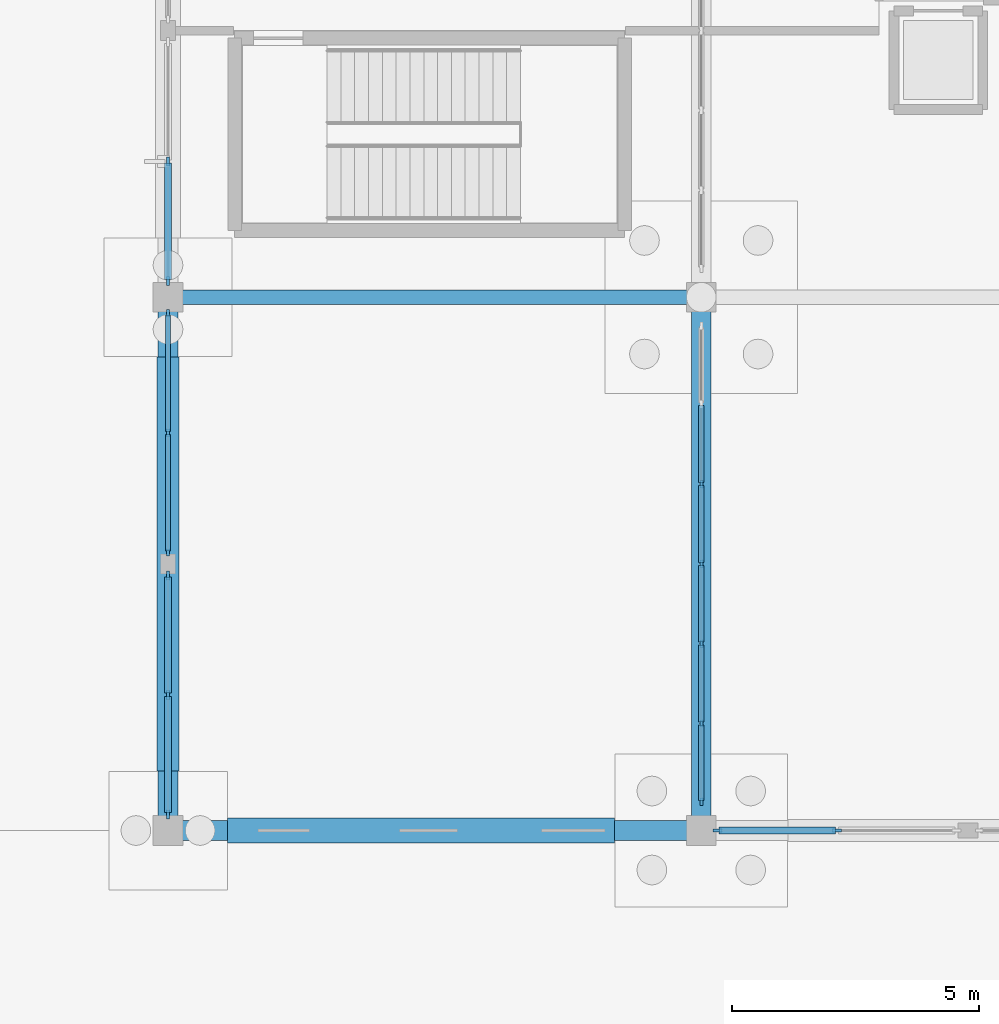
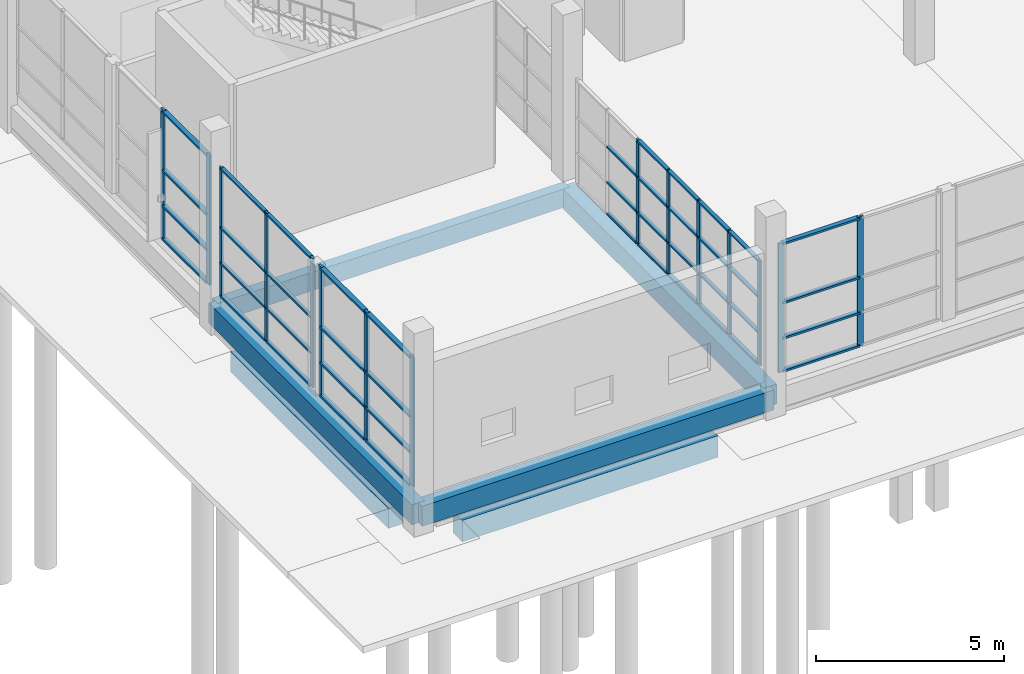
# One storey, part 15 of 138: 58 members, 6 beams, 5 elements without a shape of their own.
"""IFC4 building model written with IfcOpenShell, lengths in metres."""

from ifc_helpers import new_model, si_unit, direction, frame, origin, origin_2d, place, context, subcontext, project, spatial, rectangle, extrude, material, material_profile, profile_set, type_object, element, aggregate, save


model = new_model("IFC4")

# Units and contexts
model_context = context("Model", 3, precision=1e-05, world=origin(), true_north=direction((0.0, 1.0)))
body_context = subcontext(model_context, "Body", "Model", "MODEL_VIEW")
ifc_project = project(units=[si_unit("LENGTHUNIT", "METRE"), si_unit("AREAUNIT", "SQUARE_METRE"), si_unit("VOLUMEUNIT", "CUBIC_METRE"), si_unit("PLANEANGLEUNIT", "RADIAN"), si_unit("MASSUNIT", "GRAM", prefix="KILO")], contexts=[model_context])

# Site, building, storey
site_placement = place(None, origin())
site = spatial("IfcSite", under=ifc_project, at=site_placement, CompositionType="ELEMENT")
building_placement = place(site_placement, origin())
building = spatial("IfcBuilding", under=site, at=building_placement, Name="Zwinboog Wholesale Market", CompositionType="ELEMENT")
storey_placement = place(building_placement, origin())
storey = spatial("IfcBuildingStorey", under=building, at=storey_placement, Name="L00", CompositionType="ELEMENT", Elevation=0.0)

# Beams
ifc_material_1 = material(Name="Precast concrete C45/55", Category="concrete")
ifc_material_profile_1 = material_profile(ifc_material_1, rectangle(XDim=0.39990234375, YDim=0.64990234375, at=origin_2d()), Name="PC 400x650")
ifc_profile_set_1 = profile_set([ifc_material_profile_1], Name="Precast concrete C45/55")
beam_type_1 = type_object("IfcBeamType", Name="BT-05", PredefinedType="BEAM", material=ifc_profile_set_1)
for number, where, z_axis, x_axis, name in (
    (1, (0.0, 0.0, -0.680908203125), (1.0, 0.0, 0.0), (0.0, 1.0, 0.0), "BG-05 (BMG-L00-0000-0000-0001)"),
    (2, (0.0, 0.0, -0.680908203125), (0.0, 1.0, 0.0), (-1.0, 0.0, 0.0), "BG-05 (BMG-L00-0000-0000-0211)"),
    (3, (10.800048828125, 0.0, -0.680908203125), (0.0, 1.0, 0.0), (-1.0, 0.0, 0.0), "BG-05 (BMG-L00-0108-0000-0223)"),
):
    element("IfcBeam", number, at=place(storey_placement, frame(where, z_axis=z_axis, x_axis=x_axis)), inside=storey, type_object=beam_type_1, Name=name, PredefinedType="BEAM", context=body_context, shape_type="SweptSolid", body=[
        extrude(rectangle(XDim=0.39990234375, YDim=0.64990234375, at=origin_2d()), origin(), (0.0, 0.0, 1.0), 10.800048828125),
    ])
ifc_material_profile_2 = material_profile(ifc_material_1, rectangle(XDim=0.300048828125, YDim=0.60009765625, at=origin_2d()), Name="PC 300x600")
ifc_profile_set_2 = profile_set([ifc_material_profile_2], Name="Precast concrete C45/55")
beam_type_2 = type_object("IfcBeamType", Name="BT-09", PredefinedType="SPANDREL", material=ifc_profile_set_2)
beam_1_placement = place(storey_placement, frame((0.0, 10.800048828125, -0.656005859375), z_axis=(1.0, 0.0, 0.0), x_axis=(0.0, 1.0, 0.0)))
element("IfcBeam", 4, at=beam_1_placement, inside=storey, type_object=beam_type_2, Name="SP-02 (BMG-L00-0000-0108-0015)", PredefinedType="SPANDREL", context=body_context, shape_type="SweptSolid", body=[
    extrude(rectangle(XDim=0.300048828125, YDim=0.60009765625, at=origin_2d()), origin(), (0.0, 0.0, 1.0), 10.800048828125),
])
ifc_material_2 = material(Name="Concrete C35/45", Category="concrete")
ifc_material_profile_3 = material_profile(ifc_material_2, rectangle(XDim=0.5, YDim=0.699951171875, at=origin_2d()), Name="RC 500x700")
ifc_profile_set_3 = profile_set([ifc_material_profile_3], Name="Concrete C35/45")
beam_type_3 = type_object("IfcBeamType", Name="BT-12", PredefinedType="USERDEFINED", material=ifc_profile_set_3)
beam_2_placement = place(storey_placement, frame((1.205078125, 0.0, -1.550048828125), z_axis=(1.0, 0.0, 0.0), x_axis=(0.0, 1.0, 0.0)))
element("IfcBeam", 5, at=beam_2_placement, inside=storey, type_object=beam_type_3, Name="GB-01 (BM-GB-0001)", ObjectType="GROUND_BEAM", PredefinedType="USERDEFINED", context=body_context, shape_type="SweptSolid", body=[
    extrude(rectangle(XDim=0.5, YDim=0.699951171875, at=origin_2d()), origin(), (0.0, 0.0, 1.0), 7.83984375),
])
ifc_material_profile_4 = material_profile(ifc_material_2, rectangle(XDim=0.449951171875, YDim=0.64990234375, at=origin_2d()), Name="RC 450x650")
ifc_profile_set_4 = profile_set([ifc_material_profile_4], Name="Concrete C35/45")
beam_type_4 = type_object("IfcBeamType", Name="BT-13", PredefinedType="USERDEFINED", material=ifc_profile_set_4)
beam_3_placement = place(storey_placement, frame((0.0, 1.205078125, -1.52490234375), z_axis=(0.0, 1.0, 0.0), x_axis=(-1.0, 0.0, 0.0)))
element("IfcBeam", 6, at=beam_3_placement, inside=storey, type_object=beam_type_4, Name="GB-02 (BM-GB-0127)", ObjectType="GROUND_BEAM", PredefinedType="USERDEFINED", context=body_context, shape_type="SweptSolid", body=[
    extrude(rectangle(XDim=0.449951171875, YDim=0.64990234375, at=origin_2d()), origin(), (0.0, 0.0, 1.0), 8.389892578125),
])

# Curtain wall, members
ifc_material_3 = material(Name="Aluminium thermally broken curtain wall", Category="aluminium")
curtain_wall_type_1 = type_object("IfcCurtainWallType", Name="CWT-STALL-18", PredefinedType="USERDEFINED", material=ifc_material_3)
curtain_wall_1_placement = place(storey_placement, origin())
curtain_wall_1 = element("IfcCurtainWall", 7, at=curtain_wall_1_placement, inside=storey, type_object=curtain_wall_type_1, Name="CW-01 (CW-L00-001)", ObjectType="STOREFRONT_GLAZING", PredefinedType="USERDEFINED")
ifc_material_4 = material(Name="Aluminium EN AW-6060", Category="aluminium")
ifc_material_profile_5 = material_profile(ifc_material_4, rectangle(XDim=0.06494140625, YDim=0.179931640625, at=origin_2d()), Name="AL 65x180")
ifc_profile_set_5 = profile_set([ifc_material_profile_5], Name="Aluminium EN AW-6060")
member_type_1 = type_object("IfcMemberType", Name="CWM-65x180", PredefinedType="MULLION", material=ifc_profile_set_5)
member_1_placement = place(storey_placement, frame((0.0, 0.327392578125, 0.0), z_axis=(0.0, 0.0, 1.0), x_axis=(-1.0, 0.0, 0.0)))
member_1 = element("IfcMember", 8, at=member_1_placement, type_object=member_type_1, Name="CW-01 mullion 1", PredefinedType="MULLION", context=body_context, shape_type="SweptSolid", body=[
    extrude(rectangle(XDim=0.06494140625, YDim=0.179931640625, at=origin_2d()), origin(), (0.0, 0.0, 1.0), 4.197998046875),
])
member_2_placement = place(storey_placement, frame((0.0, 2.74755859375, 0.0), z_axis=(0.0, 0.0, 1.0), x_axis=(-1.0, 0.0, 0.0)))
member_2 = element("IfcMember", 9, at=member_2_placement, type_object=member_type_1, Name="CW-01 mullion 2", PredefinedType="MULLION", context=body_context, shape_type="SweptSolid", body=[
    extrude(rectangle(XDim=0.06494140625, YDim=0.179931640625, at=origin_2d()), origin(), (0.0, 0.0, 1.0), 4.197998046875),
])
member_3_placement = place(storey_placement, frame((0.0, 5.16748046875, 0.0), z_axis=(0.0, 0.0, 1.0), x_axis=(-1.0, 0.0, 0.0)))
member_3 = element("IfcMember", 10, at=member_3_placement, type_object=member_type_1, Name="CW-01 mullion 3", PredefinedType="MULLION", context=body_context, shape_type="SweptSolid", body=[
    extrude(rectangle(XDim=0.06494140625, YDim=0.179931640625, at=origin_2d()), origin(), (0.0, 0.0, 1.0), 4.197998046875),
])

curtain_wall_type_2 = type_object("IfcCurtainWallType", Name="CWT-HALL-24", PredefinedType="USERDEFINED", material=ifc_material_3)
curtain_wall_2_placement = place(storey_placement, origin())
curtain_wall_2 = element("IfcCurtainWall", 11, at=curtain_wall_2_placement, inside=storey, type_object=curtain_wall_type_2, Name="CW-03 (CW-L00-003)", ObjectType="UNITIZED_CURTAIN_WALL", PredefinedType="USERDEFINED")
member_4_placement = place(storey_placement, frame((0.0, 11.12744140625, 0.0), z_axis=(0.0, 0.0, 1.0), x_axis=(-1.0, 0.0, 0.0)))
member_4 = element("IfcMember", 12, at=member_4_placement, type_object=member_type_1, Name="CW-03 mullion 1", PredefinedType="MULLION", context=body_context, shape_type="SweptSolid", body=[
    extrude(rectangle(XDim=0.06494140625, YDim=0.179931640625, at=origin_2d()), origin(), (0.0, 0.0, 1.0), 4.197998046875),
])
member_5_placement = place(storey_placement, frame((0.0, 13.547607421875, 0.0), z_axis=(0.0, 0.0, 1.0), x_axis=(-1.0, 0.0, 0.0)))
member_5 = element("IfcMember", 13, at=member_5_placement, type_object=member_type_1, Name="CW-03 mullion 2", PredefinedType="MULLION", context=body_context, shape_type="SweptSolid", body=[
    extrude(rectangle(XDim=0.06494140625, YDim=0.179931640625, at=origin_2d()), origin(), (0.0, 0.0, 1.0), 4.197998046875),
])

curtain_wall_type_3 = type_object("IfcCurtainWallType", Name="CWT-CAFE-22", PredefinedType="USERDEFINED", material=ifc_material_3)
curtain_wall_3_placement = place(storey_placement, origin())
curtain_wall_3 = element("IfcCurtainWall", 14, at=curtain_wall_3_placement, inside=storey, type_object=curtain_wall_type_3, Name="CW-05 (CW-L00-017)", ObjectType="STOREFRONT_GLAZING", PredefinedType="USERDEFINED")
member_6_placement = place(storey_placement, frame((11.12744140625, 0.0, 0.0), z_axis=(0.0, 0.0, 1.0), x_axis=(0.0, 1.0, 0.0)))
member_6 = element("IfcMember", 15, at=member_6_placement, type_object=member_type_1, Name="CW-05 mullion 1", PredefinedType="MULLION", context=body_context, shape_type="SweptSolid", body=[
    extrude(rectangle(XDim=0.06494140625, YDim=0.179931640625, at=origin_2d()), origin(), (0.0, 0.0, 1.0), 4.197998046875),
])
member_7_placement = place(storey_placement, frame((13.547607421875, 0.0, 0.0), z_axis=(0.0, 0.0, 1.0), x_axis=(0.0, 1.0, 0.0)))
member_7 = element("IfcMember", 16, at=member_7_placement, type_object=member_type_1, Name="CW-05 mullion 2", PredefinedType="MULLION", context=body_context, shape_type="SweptSolid", body=[
    extrude(rectangle(XDim=0.06494140625, YDim=0.179931640625, at=origin_2d()), origin(), (0.0, 0.0, 1.0), 4.197998046875),
])

curtain_wall_type_4 = type_object("IfcCurtainWallType", Name="CWT-STALL-20", PredefinedType="USERDEFINED", material=ifc_material_3)
curtain_wall_4_placement = place(storey_placement, origin())
curtain_wall_4 = element("IfcCurtainWall", 17, at=curtain_wall_4_placement, inside=storey, type_object=curtain_wall_type_4, Name="CW-02 (CW-L00-002)", ObjectType="STOREFRONT_GLAZING", PredefinedType="USERDEFINED")
ifc_material_profile_6 = material_profile(ifc_material_4, rectangle(XDim=0.06005859375, YDim=0.14990234375, at=origin_2d()), Name="AL 60x150")
ifc_profile_set_6 = profile_set([ifc_material_profile_6], Name="Aluminium EN AW-6060")
member_type_2 = type_object("IfcMemberType", Name="CWM-60x150", PredefinedType="MULLION", material=ifc_profile_set_6)
member_8_placement = place(storey_placement, frame((0.0, 5.6298828125, 0.0), z_axis=(0.0, 0.0, 1.0), x_axis=(-1.0, 0.0, 0.0)))
member_8 = element("IfcMember", 18, at=member_8_placement, type_object=member_type_2, Name="CW-02 mullion 1", PredefinedType="MULLION", context=body_context, shape_type="SweptSolid", body=[
    extrude(rectangle(XDim=0.06005859375, YDim=0.14990234375, at=origin_2d()), origin(), (0.0, 0.0, 1.0), 4.197998046875),
])
member_9_placement = place(storey_placement, frame((0.0, 8.052490234375, 0.0), z_axis=(0.0, 0.0, 1.0), x_axis=(-1.0, 0.0, 0.0)))
member_9 = element("IfcMember", 19, at=member_9_placement, type_object=member_type_2, Name="CW-02 mullion 2", PredefinedType="MULLION", context=body_context, shape_type="SweptSolid", body=[
    extrude(rectangle(XDim=0.06005859375, YDim=0.14990234375, at=origin_2d()), origin(), (0.0, 0.0, 1.0), 4.197998046875),
])
member_10_placement = place(storey_placement, frame((0.0, 10.47509765625, 0.0), z_axis=(0.0, 0.0, 1.0), x_axis=(-1.0, 0.0, 0.0)))
member_10 = element("IfcMember", 20, at=member_10_placement, type_object=member_type_2, Name="CW-02 mullion 3", PredefinedType="MULLION", context=body_context, shape_type="SweptSolid", body=[
    extrude(rectangle(XDim=0.06005859375, YDim=0.14990234375, at=origin_2d()), origin(), (0.0, 0.0, 1.0), 4.197998046875),
])

# Member
ifc_material_profile_7 = material_profile(ifc_material_4, rectangle(XDim=0.139892578125, YDim=0.06494140625, at=origin_2d()), Name="AL 65x140")
ifc_profile_set_7 = profile_set([ifc_material_profile_7], Name="Aluminium EN AW-6060")
member_type_3 = type_object("IfcMemberType", Name="CWT-65x140", PredefinedType="USERDEFINED", material=ifc_profile_set_7)
member_11_placement = place(storey_placement, frame((0.0, 0.360107421875, 0.032470703125), z_axis=(0.0, 1.0, 0.0), x_axis=(-1.0, 0.0, 0.0)))
member_11 = element("IfcMember", 21, at=member_11_placement, type_object=member_type_3, Name="CW-01 transom 1.1", ObjectType="TRANSOM", PredefinedType="USERDEFINED", context=body_context, shape_type="SweptSolid", body=[
    extrude(rectangle(XDim=0.139892578125, YDim=0.06494140625, at=origin_2d()), origin(), (0.0, 0.0, 1.0), 2.35498046875),
])

member_12_placement = place(storey_placement, frame((0.0, 0.360107421875, 1.10009765625), z_axis=(0.0, 1.0, 0.0), x_axis=(-1.0, 0.0, 0.0)))
member_12 = element("IfcMember", 22, at=member_12_placement, type_object=member_type_3, Name="CW-01 transom 1.2", ObjectType="TRANSOM", PredefinedType="USERDEFINED", context=body_context, shape_type="SweptSolid", body=[
    extrude(rectangle(XDim=0.139892578125, YDim=0.06494140625, at=origin_2d()), origin(), (0.0, 0.0, 1.0), 2.35498046875),
])

member_13_placement = place(storey_placement, frame((0.0, 0.360107421875, 2.25), z_axis=(0.0, 1.0, 0.0), x_axis=(-1.0, 0.0, 0.0)))
member_13 = element("IfcMember", 23, at=member_13_placement, type_object=member_type_3, Name="CW-01 transom 1.3", ObjectType="TRANSOM", PredefinedType="USERDEFINED", context=body_context, shape_type="SweptSolid", body=[
    extrude(rectangle(XDim=0.139892578125, YDim=0.06494140625, at=origin_2d()), origin(), (0.0, 0.0, 1.0), 2.35498046875),
])

member_14_placement = place(storey_placement, frame((0.0, 0.360107421875, 4.16552734375), z_axis=(0.0, 1.0, 0.0), x_axis=(-1.0, 0.0, 0.0)))
member_14 = element("IfcMember", 24, at=member_14_placement, type_object=member_type_3, Name="CW-01 transom 1.4", ObjectType="TRANSOM", PredefinedType="USERDEFINED", context=body_context, shape_type="SweptSolid", body=[
    extrude(rectangle(XDim=0.139892578125, YDim=0.06494140625, at=origin_2d()), origin(), (0.0, 0.0, 1.0), 2.35498046875),
])

member_15_placement = place(storey_placement, frame((0.0, 2.780029296875, 0.032470703125), z_axis=(0.0, 1.0, 0.0), x_axis=(-1.0, 0.0, 0.0)))
member_15 = element("IfcMember", 25, at=member_15_placement, type_object=member_type_3, Name="CW-01 transom 2.1", ObjectType="TRANSOM", PredefinedType="USERDEFINED", context=body_context, shape_type="SweptSolid", body=[
    extrude(rectangle(XDim=0.139892578125, YDim=0.06494140625, at=origin_2d()), origin(), (0.0, 0.0, 1.0), 2.35498046875),
])

member_16_placement = place(storey_placement, frame((0.0, 2.780029296875, 1.10009765625), z_axis=(0.0, 1.0, 0.0), x_axis=(-1.0, 0.0, 0.0)))
member_16 = element("IfcMember", 26, at=member_16_placement, type_object=member_type_3, Name="CW-01 transom 2.2", ObjectType="TRANSOM", PredefinedType="USERDEFINED", context=body_context, shape_type="SweptSolid", body=[
    extrude(rectangle(XDim=0.139892578125, YDim=0.06494140625, at=origin_2d()), origin(), (0.0, 0.0, 1.0), 2.35498046875),
])

member_17_placement = place(storey_placement, frame((0.0, 2.780029296875, 2.25), z_axis=(0.0, 1.0, 0.0), x_axis=(-1.0, 0.0, 0.0)))
member_17 = element("IfcMember", 27, at=member_17_placement, type_object=member_type_3, Name="CW-01 transom 2.3", ObjectType="TRANSOM", PredefinedType="USERDEFINED", context=body_context, shape_type="SweptSolid", body=[
    extrude(rectangle(XDim=0.139892578125, YDim=0.06494140625, at=origin_2d()), origin(), (0.0, 0.0, 1.0), 2.35498046875),
])

member_18_placement = place(storey_placement, frame((0.0, 2.780029296875, 4.16552734375), z_axis=(0.0, 1.0, 0.0), x_axis=(-1.0, 0.0, 0.0)))
member_18 = element("IfcMember", 28, at=member_18_placement, type_object=member_type_3, Name="CW-01 transom 2.4", ObjectType="TRANSOM", PredefinedType="USERDEFINED", context=body_context, shape_type="SweptSolid", body=[
    extrude(rectangle(XDim=0.139892578125, YDim=0.06494140625, at=origin_2d()), origin(), (0.0, 0.0, 1.0), 2.35498046875),
])

aggregate(curtain_wall_1, [member_1, member_2, member_3, member_11, member_12, member_13, member_14, member_15, member_16, member_17, member_18])

member_19_placement = place(storey_placement, frame((0.0, 11.159912109375, 0.032470703125), z_axis=(0.0, 1.0, 0.0), x_axis=(-1.0, 0.0, 0.0)))
member_19 = element("IfcMember", 29, at=member_19_placement, type_object=member_type_3, Name="CW-03 transom 1.1", ObjectType="TRANSOM", PredefinedType="USERDEFINED", context=body_context, shape_type="SweptSolid", body=[
    extrude(rectangle(XDim=0.139892578125, YDim=0.06494140625, at=origin_2d()), origin(), (0.0, 0.0, 1.0), 2.35498046875),
])

member_20_placement = place(storey_placement, frame((0.0, 11.159912109375, 1.10009765625), z_axis=(0.0, 1.0, 0.0), x_axis=(-1.0, 0.0, 0.0)))
member_20 = element("IfcMember", 30, at=member_20_placement, type_object=member_type_3, Name="CW-03 transom 1.2", ObjectType="TRANSOM", PredefinedType="USERDEFINED", context=body_context, shape_type="SweptSolid", body=[
    extrude(rectangle(XDim=0.139892578125, YDim=0.06494140625, at=origin_2d()), origin(), (0.0, 0.0, 1.0), 2.35498046875),
])

member_21_placement = place(storey_placement, frame((0.0, 11.159912109375, 2.25), z_axis=(0.0, 1.0, 0.0), x_axis=(-1.0, 0.0, 0.0)))
member_21 = element("IfcMember", 31, at=member_21_placement, type_object=member_type_3, Name="CW-03 transom 1.3", ObjectType="TRANSOM", PredefinedType="USERDEFINED", context=body_context, shape_type="SweptSolid", body=[
    extrude(rectangle(XDim=0.139892578125, YDim=0.06494140625, at=origin_2d()), origin(), (0.0, 0.0, 1.0), 2.35498046875),
])

member_22_placement = place(storey_placement, frame((0.0, 11.159912109375, 4.16552734375), z_axis=(0.0, 1.0, 0.0), x_axis=(-1.0, 0.0, 0.0)))
member_22 = element("IfcMember", 32, at=member_22_placement, type_object=member_type_3, Name="CW-03 transom 1.4", ObjectType="TRANSOM", PredefinedType="USERDEFINED", context=body_context, shape_type="SweptSolid", body=[
    extrude(rectangle(XDim=0.139892578125, YDim=0.06494140625, at=origin_2d()), origin(), (0.0, 0.0, 1.0), 2.35498046875),
])

aggregate(curtain_wall_2, [member_4, member_5, member_19, member_20, member_21, member_22])

member_23_placement = place(storey_placement, frame((11.159912109375, 0.0, 0.032470703125), z_axis=(1.0, 0.0, 0.0), x_axis=(0.0, 1.0, 0.0)))
member_23 = element("IfcMember", 33, at=member_23_placement, type_object=member_type_3, Name="CW-05 transom 1.1", ObjectType="TRANSOM", PredefinedType="USERDEFINED", context=body_context, shape_type="SweptSolid", body=[
    extrude(rectangle(XDim=0.139892578125, YDim=0.06494140625, at=origin_2d()), origin(), (0.0, 0.0, 1.0), 2.35498046875),
])

member_24_placement = place(storey_placement, frame((11.159912109375, 0.0, 1.10009765625), z_axis=(1.0, 0.0, 0.0), x_axis=(0.0, 1.0, 0.0)))
member_24 = element("IfcMember", 34, at=member_24_placement, type_object=member_type_3, Name="CW-05 transom 1.2", ObjectType="TRANSOM", PredefinedType="USERDEFINED", context=body_context, shape_type="SweptSolid", body=[
    extrude(rectangle(XDim=0.139892578125, YDim=0.06494140625, at=origin_2d()), origin(), (0.0, 0.0, 1.0), 2.35498046875),
])

member_25_placement = place(storey_placement, frame((11.159912109375, 0.0, 2.25), z_axis=(1.0, 0.0, 0.0), x_axis=(0.0, 1.0, 0.0)))
member_25 = element("IfcMember", 35, at=member_25_placement, type_object=member_type_3, Name="CW-05 transom 1.3", ObjectType="TRANSOM", PredefinedType="USERDEFINED", context=body_context, shape_type="SweptSolid", body=[
    extrude(rectangle(XDim=0.139892578125, YDim=0.06494140625, at=origin_2d()), origin(), (0.0, 0.0, 1.0), 2.35498046875),
])

member_26_placement = place(storey_placement, frame((11.159912109375, 0.0, 4.16552734375), z_axis=(1.0, 0.0, 0.0), x_axis=(0.0, 1.0, 0.0)))
member_26 = element("IfcMember", 36, at=member_26_placement, type_object=member_type_3, Name="CW-05 transom 1.4", ObjectType="TRANSOM", PredefinedType="USERDEFINED", context=body_context, shape_type="SweptSolid", body=[
    extrude(rectangle(XDim=0.139892578125, YDim=0.06494140625, at=origin_2d()), origin(), (0.0, 0.0, 1.0), 2.35498046875),
])

aggregate(curtain_wall_3, [member_6, member_7, member_23, member_24, member_25, member_26])

ifc_material_profile_8 = material_profile(ifc_material_4, rectangle(XDim=0.110107421875, YDim=0.06005859375, at=origin_2d()), Name="AL 60x110")
ifc_profile_set_8 = profile_set([ifc_material_profile_8], Name="Aluminium EN AW-6060")
member_type_4 = type_object("IfcMemberType", Name="CWT-60x110", PredefinedType="USERDEFINED", material=ifc_profile_set_8)
member_27_placement = place(storey_placement, frame((0.0, 5.659912109375, 0.030029296875), z_axis=(0.0, 1.0, 0.0), x_axis=(-1.0, 0.0, 0.0)))
member_27 = element("IfcMember", 37, at=member_27_placement, type_object=member_type_4, Name="CW-02 transom 1.1", ObjectType="TRANSOM", PredefinedType="USERDEFINED", context=body_context, shape_type="SweptSolid", body=[
    extrude(rectangle(XDim=0.110107421875, YDim=0.06005859375, at=origin_2d()), origin(), (0.0, 0.0, 1.0), 2.362548828125),
])

member_28_placement = place(storey_placement, frame((0.0, 5.659912109375, 1.10009765625), z_axis=(0.0, 1.0, 0.0), x_axis=(-1.0, 0.0, 0.0)))
member_28 = element("IfcMember", 38, at=member_28_placement, type_object=member_type_4, Name="CW-02 transom 1.2", ObjectType="TRANSOM", PredefinedType="USERDEFINED", context=body_context, shape_type="SweptSolid", body=[
    extrude(rectangle(XDim=0.110107421875, YDim=0.06005859375, at=origin_2d()), origin(), (0.0, 0.0, 1.0), 2.362548828125),
])

member_29_placement = place(storey_placement, frame((0.0, 5.659912109375, 2.25), z_axis=(0.0, 1.0, 0.0), x_axis=(-1.0, 0.0, 0.0)))
member_29 = element("IfcMember", 39, at=member_29_placement, type_object=member_type_4, Name="CW-02 transom 1.3", ObjectType="TRANSOM", PredefinedType="USERDEFINED", context=body_context, shape_type="SweptSolid", body=[
    extrude(rectangle(XDim=0.110107421875, YDim=0.06005859375, at=origin_2d()), origin(), (0.0, 0.0, 1.0), 2.362548828125),
])

member_30_placement = place(storey_placement, frame((0.0, 5.659912109375, 4.16796875), z_axis=(0.0, 1.0, 0.0), x_axis=(-1.0, 0.0, 0.0)))
member_30 = element("IfcMember", 40, at=member_30_placement, type_object=member_type_4, Name="CW-02 transom 1.4", ObjectType="TRANSOM", PredefinedType="USERDEFINED", context=body_context, shape_type="SweptSolid", body=[
    extrude(rectangle(XDim=0.110107421875, YDim=0.06005859375, at=origin_2d()), origin(), (0.0, 0.0, 1.0), 2.362548828125),
])

member_31_placement = place(storey_placement, frame((0.0, 8.08251953125, 0.030029296875), z_axis=(0.0, 1.0, 0.0), x_axis=(-1.0, 0.0, 0.0)))
member_31 = element("IfcMember", 41, at=member_31_placement, type_object=member_type_4, Name="CW-02 transom 2.1", ObjectType="TRANSOM", PredefinedType="USERDEFINED", context=body_context, shape_type="SweptSolid", body=[
    extrude(rectangle(XDim=0.110107421875, YDim=0.06005859375, at=origin_2d()), origin(), (0.0, 0.0, 1.0), 2.362548828125),
])

member_32_placement = place(storey_placement, frame((0.0, 8.08251953125, 1.10009765625), z_axis=(0.0, 1.0, 0.0), x_axis=(-1.0, 0.0, 0.0)))
member_32 = element("IfcMember", 42, at=member_32_placement, type_object=member_type_4, Name="CW-02 transom 2.2", ObjectType="TRANSOM", PredefinedType="USERDEFINED", context=body_context, shape_type="SweptSolid", body=[
    extrude(rectangle(XDim=0.110107421875, YDim=0.06005859375, at=origin_2d()), origin(), (0.0, 0.0, 1.0), 2.362548828125),
])

member_33_placement = place(storey_placement, frame((0.0, 8.08251953125, 2.25), z_axis=(0.0, 1.0, 0.0), x_axis=(-1.0, 0.0, 0.0)))
member_33 = element("IfcMember", 43, at=member_33_placement, type_object=member_type_4, Name="CW-02 transom 2.3", ObjectType="TRANSOM", PredefinedType="USERDEFINED", context=body_context, shape_type="SweptSolid", body=[
    extrude(rectangle(XDim=0.110107421875, YDim=0.06005859375, at=origin_2d()), origin(), (0.0, 0.0, 1.0), 2.362548828125),
])

member_34_placement = place(storey_placement, frame((0.0, 8.08251953125, 4.16796875), z_axis=(0.0, 1.0, 0.0), x_axis=(-1.0, 0.0, 0.0)))
member_34 = element("IfcMember", 44, at=member_34_placement, type_object=member_type_4, Name="CW-02 transom 2.4", ObjectType="TRANSOM", PredefinedType="USERDEFINED", context=body_context, shape_type="SweptSolid", body=[
    extrude(rectangle(XDim=0.110107421875, YDim=0.06005859375, at=origin_2d()), origin(), (0.0, 0.0, 1.0), 2.362548828125),
])

aggregate(curtain_wall_4, [member_8, member_9, member_10, member_27, member_28, member_29, member_30, member_31, member_32, member_33, member_34])

# Curtain wall, members
curtain_wall_type_5 = type_object("IfcCurtainWallType", Name="CWT-INT-STALL", PredefinedType="USERDEFINED", material=ifc_material_3)
curtain_wall_5_placement = place(storey_placement, origin())
curtain_wall_5 = element("IfcCurtainWall", 45, at=curtain_wall_5_placement, inside=storey, type_object=curtain_wall_type_5, Name="CW-07 (CW-STL-209)", ObjectType="STOREFRONT_GLAZING", PredefinedType="USERDEFINED")
ifc_material_profile_9 = material_profile(ifc_material_4, rectangle(XDim=0.06005859375, YDim=0.14990234375, at=origin_2d()), Name="AL 60x150")
ifc_profile_set_9 = profile_set([ifc_material_profile_9], Name="Aluminium EN AW-6060")
member_type_5 = type_object("IfcMemberType", Name="CWM-INT-60x120", PredefinedType="MULLION", material=ifc_profile_set_9)
member_35_placement = place(storey_placement, frame((10.800048828125, 0.580078125, 0.0), z_axis=(0.0, 0.0, 1.0), x_axis=(-1.0, 0.0, 0.0)))
member_35 = element("IfcMember", 46, at=member_35_placement, type_object=member_type_5, Name="CW-07 mullion 1", PredefinedType="MULLION", context=body_context, shape_type="SweptSolid", body=[
    extrude(rectangle(XDim=0.06005859375, YDim=0.14990234375, at=origin_2d()), origin(), (0.0, 0.0, 1.0), 3.39990234375),
])
member_36_placement = place(storey_placement, frame((10.800048828125, 2.166748046875, 0.0), z_axis=(0.0, 0.0, 1.0), x_axis=(-1.0, 0.0, 0.0)))
member_36 = element("IfcMember", 47, at=member_36_placement, type_object=member_type_5, Name="CW-07 mullion 2", PredefinedType="MULLION", context=body_context, shape_type="SweptSolid", body=[
    extrude(rectangle(XDim=0.06005859375, YDim=0.14990234375, at=origin_2d()), origin(), (0.0, 0.0, 1.0), 3.39990234375),
])
member_37_placement = place(storey_placement, frame((10.800048828125, 3.783447265625, 0.0), z_axis=(0.0, 0.0, 1.0), x_axis=(-1.0, 0.0, 0.0)))
member_37 = element("IfcMember", 48, at=member_37_placement, type_object=member_type_5, Name="CW-07 mullion 3", PredefinedType="MULLION", context=body_context, shape_type="SweptSolid", body=[
    extrude(rectangle(XDim=0.06005859375, YDim=0.14990234375, at=origin_2d()), origin(), (0.0, 0.0, 1.0), 3.39990234375),
])
member_38_placement = place(storey_placement, frame((10.800048828125, 5.39990234375, 0.0), z_axis=(0.0, 0.0, 1.0), x_axis=(-1.0, 0.0, 0.0)))
member_38 = element("IfcMember", 49, at=member_38_placement, type_object=member_type_5, Name="CW-07 mullion 4", PredefinedType="MULLION", context=body_context, shape_type="SweptSolid", body=[
    extrude(rectangle(XDim=0.06005859375, YDim=0.14990234375, at=origin_2d()), origin(), (0.0, 0.0, 1.0), 3.39990234375),
])
member_39_placement = place(storey_placement, frame((10.800048828125, 7.0166015625, 0.0), z_axis=(0.0, 0.0, 1.0), x_axis=(-1.0, 0.0, 0.0)))
member_39 = element("IfcMember", 50, at=member_39_placement, type_object=member_type_5, Name="CW-07 mullion 5", PredefinedType="MULLION", context=body_context, shape_type="SweptSolid", body=[
    extrude(rectangle(XDim=0.06005859375, YDim=0.14990234375, at=origin_2d()), origin(), (0.0, 0.0, 1.0), 3.39990234375),
])
ifc_material_profile_10 = material_profile(ifc_material_4, rectangle(XDim=0.110107421875, YDim=0.06005859375, at=origin_2d()), Name="AL 60x110")
ifc_profile_set_10 = profile_set([ifc_material_profile_10], Name="Aluminium EN AW-6060")
member_type_6 = type_object("IfcMemberType", Name="CWT-INT-60x100", PredefinedType="USERDEFINED", material=ifc_profile_set_10)
member_40_placement = place(storey_placement, frame((10.800048828125, 0.610107421875, 0.030029296875), z_axis=(0.0, 1.0, 0.0), x_axis=(-1.0, 0.0, 0.0)))
member_40 = element("IfcMember", 51, at=member_40_placement, type_object=member_type_6, Name="CW-07 transom 1.1", ObjectType="TRANSOM", PredefinedType="USERDEFINED", context=body_context, shape_type="SweptSolid", body=[
    extrude(rectangle(XDim=0.110107421875, YDim=0.06005859375, at=origin_2d()), origin(), (0.0, 0.0, 1.0), 1.526611328125),
])
member_41_placement = place(storey_placement, frame((10.800048828125, 0.610107421875, 1.050048828125), z_axis=(0.0, 1.0, 0.0), x_axis=(-1.0, 0.0, 0.0)))
member_41 = element("IfcMember", 52, at=member_41_placement, type_object=member_type_6, Name="CW-07 transom 1.2", ObjectType="TRANSOM", PredefinedType="USERDEFINED", context=body_context, shape_type="SweptSolid", body=[
    extrude(rectangle(XDim=0.110107421875, YDim=0.06005859375, at=origin_2d()), origin(), (0.0, 0.0, 1.0), 1.526611328125),
])
member_42_placement = place(storey_placement, frame((10.800048828125, 0.610107421875, 2.199951171875), z_axis=(0.0, 1.0, 0.0), x_axis=(-1.0, 0.0, 0.0)))
member_42 = element("IfcMember", 53, at=member_42_placement, type_object=member_type_6, Name="CW-07 transom 1.3", ObjectType="TRANSOM", PredefinedType="USERDEFINED", context=body_context, shape_type="SweptSolid", body=[
    extrude(rectangle(XDim=0.110107421875, YDim=0.06005859375, at=origin_2d()), origin(), (0.0, 0.0, 1.0), 1.526611328125),
])
member_43_placement = place(storey_placement, frame((10.800048828125, 0.610107421875, 3.3701171875), z_axis=(0.0, 1.0, 0.0), x_axis=(-1.0, 0.0, 0.0)))
member_43 = element("IfcMember", 54, at=member_43_placement, type_object=member_type_6, Name="CW-07 transom 1.4", ObjectType="TRANSOM", PredefinedType="USERDEFINED", context=body_context, shape_type="SweptSolid", body=[
    extrude(rectangle(XDim=0.110107421875, YDim=0.06005859375, at=origin_2d()), origin(), (0.0, 0.0, 1.0), 1.526611328125),
])
member_44_placement = place(storey_placement, frame((10.800048828125, 2.19677734375, 0.030029296875), z_axis=(0.0, 1.0, 0.0), x_axis=(-1.0, 0.0, 0.0)))
member_44 = element("IfcMember", 55, at=member_44_placement, type_object=member_type_6, Name="CW-07 transom 2.1", ObjectType="TRANSOM", PredefinedType="USERDEFINED", context=body_context, shape_type="SweptSolid", body=[
    extrude(rectangle(XDim=0.110107421875, YDim=0.06005859375, at=origin_2d()), origin(), (0.0, 0.0, 1.0), 1.556640625),
])
member_45_placement = place(storey_placement, frame((10.800048828125, 2.19677734375, 1.050048828125), z_axis=(0.0, 1.0, 0.0), x_axis=(-1.0, 0.0, 0.0)))
member_45 = element("IfcMember", 56, at=member_45_placement, type_object=member_type_6, Name="CW-07 transom 2.2", ObjectType="TRANSOM", PredefinedType="USERDEFINED", context=body_context, shape_type="SweptSolid", body=[
    extrude(rectangle(XDim=0.110107421875, YDim=0.06005859375, at=origin_2d()), origin(), (0.0, 0.0, 1.0), 1.556640625),
])
member_46_placement = place(storey_placement, frame((10.800048828125, 2.19677734375, 2.199951171875), z_axis=(0.0, 1.0, 0.0), x_axis=(-1.0, 0.0, 0.0)))
member_46 = element("IfcMember", 57, at=member_46_placement, type_object=member_type_6, Name="CW-07 transom 2.3", ObjectType="TRANSOM", PredefinedType="USERDEFINED", context=body_context, shape_type="SweptSolid", body=[
    extrude(rectangle(XDim=0.110107421875, YDim=0.06005859375, at=origin_2d()), origin(), (0.0, 0.0, 1.0), 1.556640625),
])
member_47_placement = place(storey_placement, frame((10.800048828125, 2.19677734375, 3.3701171875), z_axis=(0.0, 1.0, 0.0), x_axis=(-1.0, 0.0, 0.0)))
member_47 = element("IfcMember", 58, at=member_47_placement, type_object=member_type_6, Name="CW-07 transom 2.4", ObjectType="TRANSOM", PredefinedType="USERDEFINED", context=body_context, shape_type="SweptSolid", body=[
    extrude(rectangle(XDim=0.110107421875, YDim=0.06005859375, at=origin_2d()), origin(), (0.0, 0.0, 1.0), 1.556640625),
])
member_48_placement = place(storey_placement, frame((10.800048828125, 3.813232421875, 0.030029296875), z_axis=(0.0, 1.0, 0.0), x_axis=(-1.0, 0.0, 0.0)))
member_48 = element("IfcMember", 59, at=member_48_placement, type_object=member_type_6, Name="CW-07 transom 3.1", ObjectType="TRANSOM", PredefinedType="USERDEFINED", context=body_context, shape_type="SweptSolid", body=[
    extrude(rectangle(XDim=0.110107421875, YDim=0.06005859375, at=origin_2d()), origin(), (0.0, 0.0, 1.0), 1.556884765625),
])
member_49_placement = place(storey_placement, frame((10.800048828125, 3.813232421875, 1.050048828125), z_axis=(0.0, 1.0, 0.0), x_axis=(-1.0, 0.0, 0.0)))
member_49 = element("IfcMember", 60, at=member_49_placement, type_object=member_type_6, Name="CW-07 transom 3.2", ObjectType="TRANSOM", PredefinedType="USERDEFINED", context=body_context, shape_type="SweptSolid", body=[
    extrude(rectangle(XDim=0.110107421875, YDim=0.06005859375, at=origin_2d()), origin(), (0.0, 0.0, 1.0), 1.556884765625),
])
member_50_placement = place(storey_placement, frame((10.800048828125, 3.813232421875, 2.199951171875), z_axis=(0.0, 1.0, 0.0), x_axis=(-1.0, 0.0, 0.0)))
member_50 = element("IfcMember", 61, at=member_50_placement, type_object=member_type_6, Name="CW-07 transom 3.3", ObjectType="TRANSOM", PredefinedType="USERDEFINED", context=body_context, shape_type="SweptSolid", body=[
    extrude(rectangle(XDim=0.110107421875, YDim=0.06005859375, at=origin_2d()), origin(), (0.0, 0.0, 1.0), 1.556884765625),
])
member_51_placement = place(storey_placement, frame((10.800048828125, 3.813232421875, 3.3701171875), z_axis=(0.0, 1.0, 0.0), x_axis=(-1.0, 0.0, 0.0)))
member_51 = element("IfcMember", 62, at=member_51_placement, type_object=member_type_6, Name="CW-07 transom 3.4", ObjectType="TRANSOM", PredefinedType="USERDEFINED", context=body_context, shape_type="SweptSolid", body=[
    extrude(rectangle(XDim=0.110107421875, YDim=0.06005859375, at=origin_2d()), origin(), (0.0, 0.0, 1.0), 1.556884765625),
])
member_52_placement = place(storey_placement, frame((10.800048828125, 5.429931640625, 0.030029296875), z_axis=(0.0, 1.0, 0.0), x_axis=(-1.0, 0.0, 0.0)))
member_52 = element("IfcMember", 63, at=member_52_placement, type_object=member_type_6, Name="CW-07 transom 4.1", ObjectType="TRANSOM", PredefinedType="USERDEFINED", context=body_context, shape_type="SweptSolid", body=[
    extrude(rectangle(XDim=0.110107421875, YDim=0.06005859375, at=origin_2d()), origin(), (0.0, 0.0, 1.0), 1.556640625),
])
member_53_placement = place(storey_placement, frame((10.800048828125, 5.429931640625, 1.050048828125), z_axis=(0.0, 1.0, 0.0), x_axis=(-1.0, 0.0, 0.0)))
member_53 = element("IfcMember", 64, at=member_53_placement, type_object=member_type_6, Name="CW-07 transom 4.2", ObjectType="TRANSOM", PredefinedType="USERDEFINED", context=body_context, shape_type="SweptSolid", body=[
    extrude(rectangle(XDim=0.110107421875, YDim=0.06005859375, at=origin_2d()), origin(), (0.0, 0.0, 1.0), 1.556640625),
])
member_54_placement = place(storey_placement, frame((10.800048828125, 5.429931640625, 2.199951171875), z_axis=(0.0, 1.0, 0.0), x_axis=(-1.0, 0.0, 0.0)))
member_54 = element("IfcMember", 65, at=member_54_placement, type_object=member_type_6, Name="CW-07 transom 4.3", ObjectType="TRANSOM", PredefinedType="USERDEFINED", context=body_context, shape_type="SweptSolid", body=[
    extrude(rectangle(XDim=0.110107421875, YDim=0.06005859375, at=origin_2d()), origin(), (0.0, 0.0, 1.0), 1.556640625),
])
member_55_placement = place(storey_placement, frame((10.800048828125, 5.429931640625, 3.3701171875), z_axis=(0.0, 1.0, 0.0), x_axis=(-1.0, 0.0, 0.0)))
member_55 = element("IfcMember", 66, at=member_55_placement, type_object=member_type_6, Name="CW-07 transom 4.4", ObjectType="TRANSOM", PredefinedType="USERDEFINED", context=body_context, shape_type="SweptSolid", body=[
    extrude(rectangle(XDim=0.110107421875, YDim=0.06005859375, at=origin_2d()), origin(), (0.0, 0.0, 1.0), 1.556640625),
])
member_56_placement = place(storey_placement, frame((10.800048828125, 7.046630859375, 0.030029296875), z_axis=(0.0, 1.0, 0.0), x_axis=(-1.0, 0.0, 0.0)))
member_56 = element("IfcMember", 67, at=member_56_placement, type_object=member_type_6, Name="CW-07 transom 5.1", ObjectType="TRANSOM", PredefinedType="USERDEFINED", context=body_context, shape_type="SweptSolid", body=[
    extrude(rectangle(XDim=0.110107421875, YDim=0.06005859375, at=origin_2d()), origin(), (0.0, 0.0, 1.0), 1.556640625),
])
member_57_placement = place(storey_placement, frame((10.800048828125, 7.046630859375, 1.050048828125), z_axis=(0.0, 1.0, 0.0), x_axis=(-1.0, 0.0, 0.0)))
member_57 = element("IfcMember", 68, at=member_57_placement, type_object=member_type_6, Name="CW-07 transom 5.2", ObjectType="TRANSOM", PredefinedType="USERDEFINED", context=body_context, shape_type="SweptSolid", body=[
    extrude(rectangle(XDim=0.110107421875, YDim=0.06005859375, at=origin_2d()), origin(), (0.0, 0.0, 1.0), 1.556640625),
])
member_58_placement = place(storey_placement, frame((10.800048828125, 7.046630859375, 2.199951171875), z_axis=(0.0, 1.0, 0.0), x_axis=(-1.0, 0.0, 0.0)))
member_58 = element("IfcMember", 69, at=member_58_placement, type_object=member_type_6, Name="CW-07 transom 5.3", ObjectType="TRANSOM", PredefinedType="USERDEFINED", context=body_context, shape_type="SweptSolid", body=[
    extrude(rectangle(XDim=0.110107421875, YDim=0.06005859375, at=origin_2d()), origin(), (0.0, 0.0, 1.0), 1.556640625),
])
aggregate(curtain_wall_5, [member_35, member_36, member_37, member_38, member_39, member_40, member_41, member_42, member_43, member_44, member_45, member_46, member_47, member_48, member_49, member_50, member_51, member_52, member_53, member_54, member_55, member_56, member_57, member_58])

save(model, "model.ifc")
